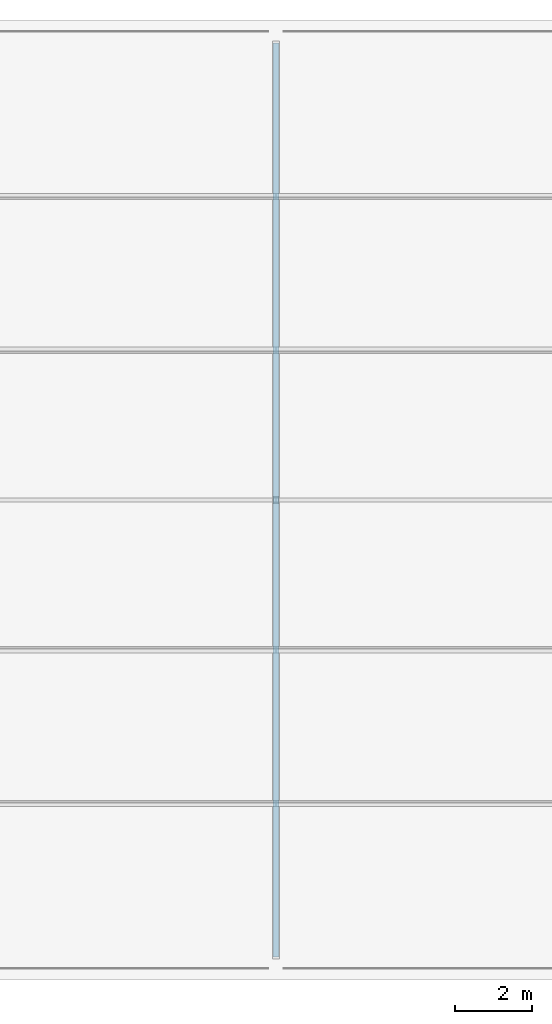
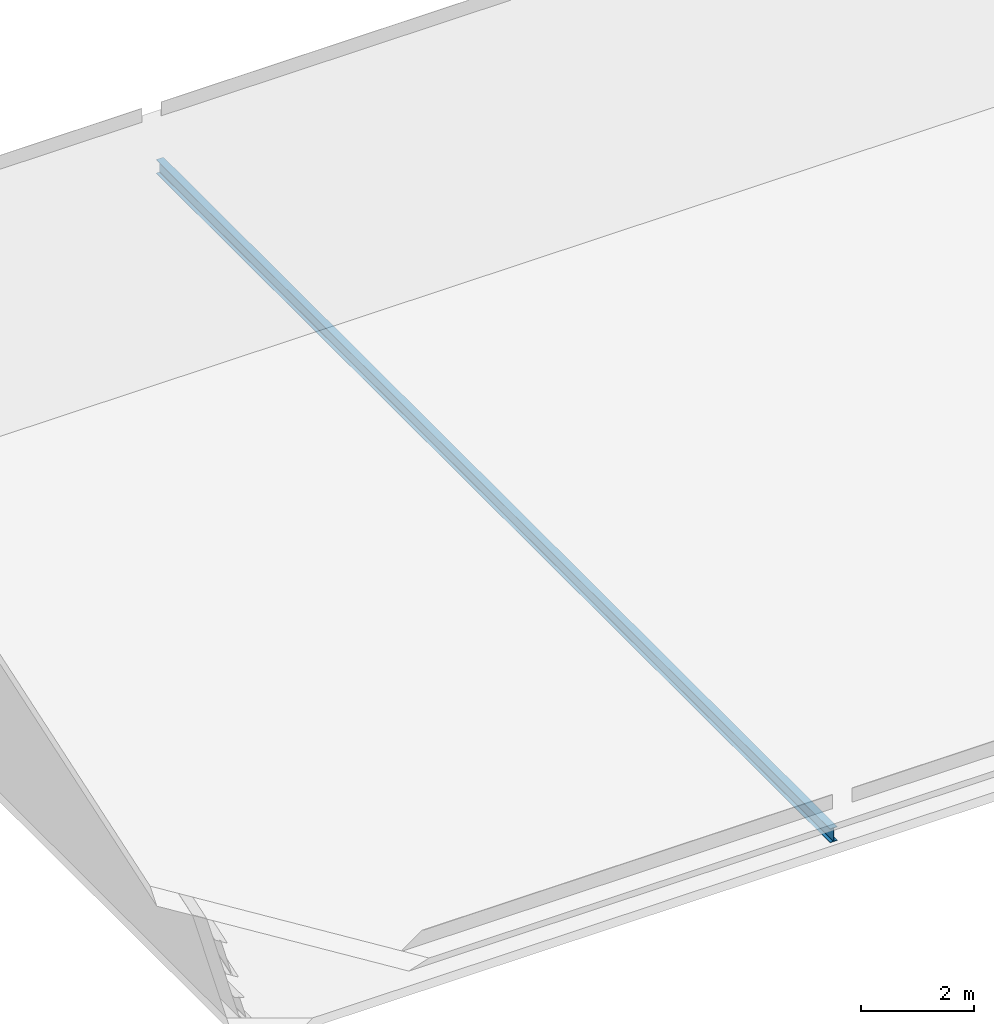
# One storey, part 3 of 12: 1 member.
"""IFC4 building model written with IfcOpenShell, lengths in metres."""

from ifc_helpers import new_model, si_unit, direction, frame, origin, origin_2d, place, context, subcontext, project, spatial, i_section, extrude, material, material_profile, profile_set, type_object, element, save


model = new_model("IFC4")

# Units and contexts
model_context = context("Model", 3, precision=1e-05, world=origin(), true_north=direction((0.0, 1.0)))
body_context = subcontext(model_context, "Body", "Model", "MODEL_VIEW")
ifc_project = project(units=[si_unit("LENGTHUNIT", "METRE"), si_unit("AREAUNIT", "SQUARE_METRE"), si_unit("VOLUMEUNIT", "CUBIC_METRE"), si_unit("PLANEANGLEUNIT", "RADIAN"), si_unit("MASSUNIT", "GRAM", prefix="KILO")], contexts=[model_context])

# Site, building, storey
site_placement = place(None, origin())
site = spatial("IfcSite", under=ifc_project, at=site_placement, CompositionType="ELEMENT")
building_placement = place(site_placement, origin())
building = spatial("IfcBuilding", under=site, at=building_placement, Name="Lilac Gate Convention Centre", CompositionType="ELEMENT")
storey_placement = place(building_placement, frame((0.0, 0.0, 71.39990234375)))
storey = spatial("IfcBuildingStorey", under=building, at=storey_placement, Name="Roof", CompositionType="ELEMENT", Elevation=71.39990234375)

# Member
ifc_material = material(Name="Steel Q355B", Category="steel")
ifc_material_profile = material_profile(ifc_material, i_section(OverallWidth=0.14990234375, OverallDepth=0.300048828125, WebThickness=0.006591796875, FlangeThickness=0.009033203125, FilletRadius=0.012939453125, at=origin_2d()), Name="HN300x150x6.5x9")
ifc_profile_set = profile_set([ifc_material_profile], Name="Steel Q355B")
member_type = type_object("IfcMemberType", Name="Crown tie HN300x150x6.5x9", PredefinedType="STRUT", material=ifc_profile_set)
member_placement = place(storey_placement, frame((54.0, 222.10009765625, 0.150146484375), z_axis=(0.0, 1.0, 0.0), x_axis=(-1.0, 0.0, 0.0)))
element("IfcMember", 1, at=member_placement, inside=storey, type_object=member_type, Name="CT1 crown frame 2 tie", PredefinedType="STRUT", context=body_context, shape_type="SweptSolid", body=[
    extrude(i_section(OverallWidth=0.14990234375, OverallDepth=0.300048828125, WebThickness=0.006591796875, FlangeThickness=0.009033203125, FilletRadius=0.012939453125, at=origin_2d()), origin(), (0.0, 0.0, 1.0), 23.7998046875),
])

save(model, "model.ifc")
